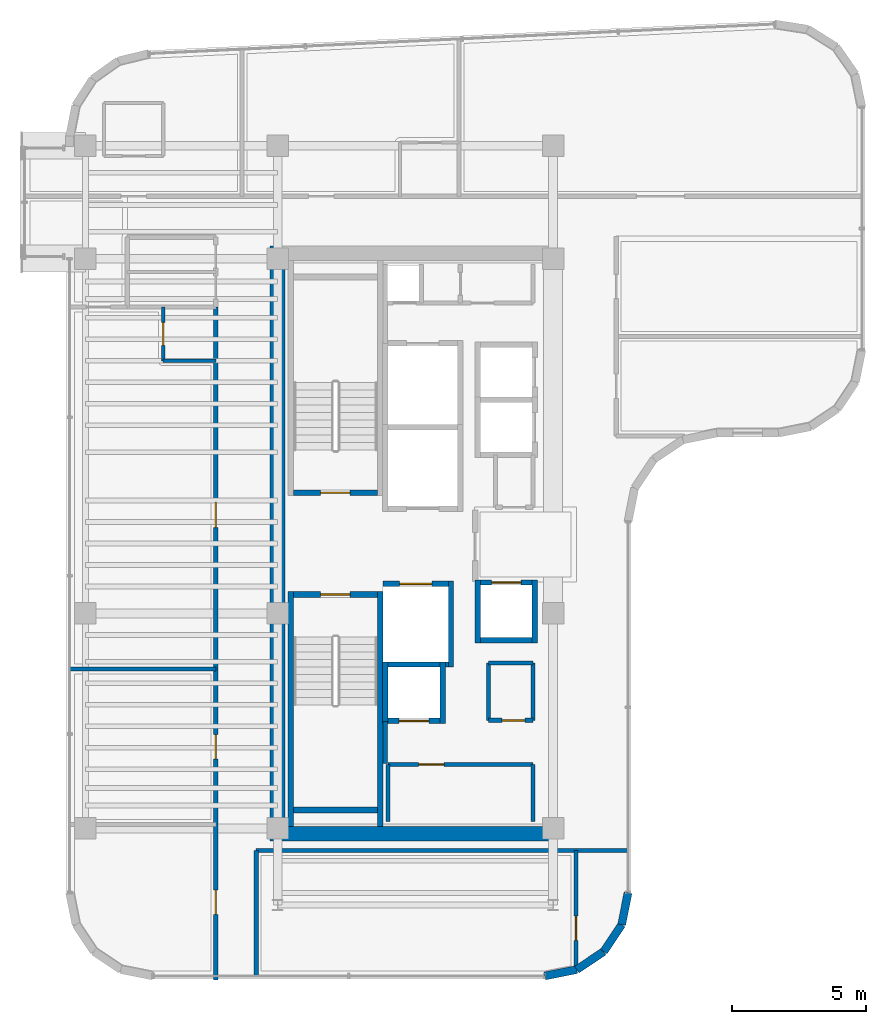
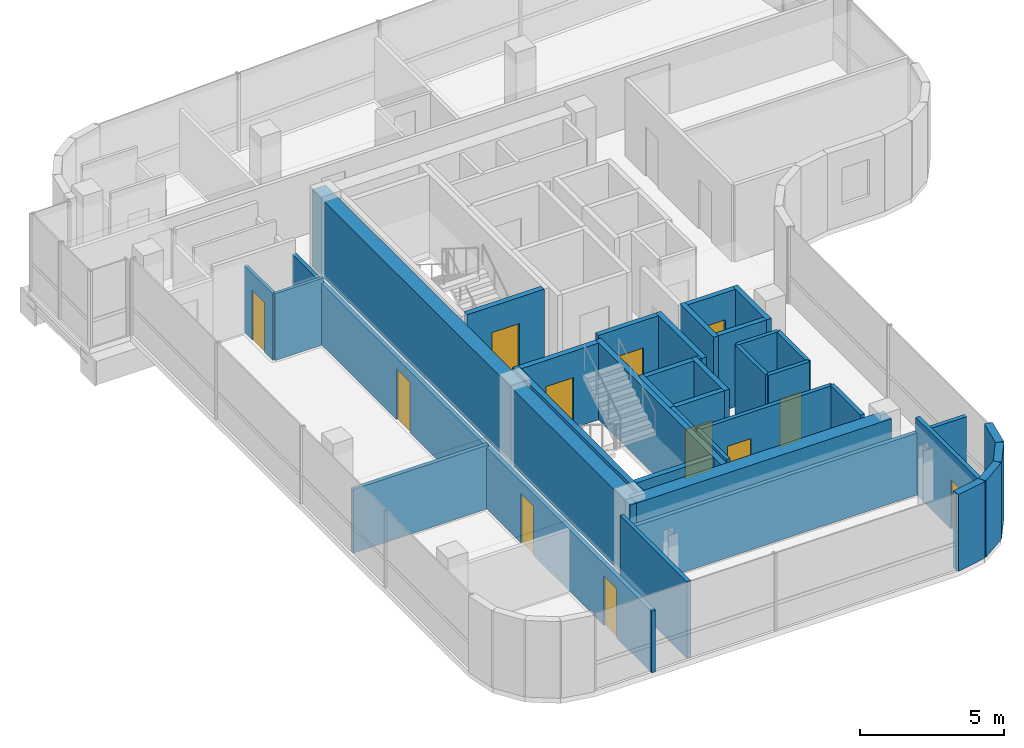
# One storey, part 16 of 20: 36 walls, 12 doors, 12 openings.
"""IFC4 building model written with IfcOpenShell, lengths in metres."""

from ifc_helpers import new_model, si_unit, direction, frame, frame_2d, origin, place, context, subcontext, project, spatial, rectangle, extrude, material, layer, layer_set, type_object, element, fill, save


model = new_model("IFC4")

# Units and contexts
model_context = context("Model", 3, precision=1e-05, world=origin(), true_north=direction((0.0, 1.0)))
body_context = subcontext(model_context, "Body", "Model", "MODEL_VIEW")
ifc_project = project(units=[si_unit("LENGTHUNIT", "METRE"), si_unit("AREAUNIT", "SQUARE_METRE"), si_unit("VOLUMEUNIT", "CUBIC_METRE"), si_unit("PLANEANGLEUNIT", "RADIAN"), si_unit("MASSUNIT", "GRAM", prefix="KILO")], contexts=[model_context])

# Site, building, storey
site_placement = place(None, origin())
site = spatial("IfcSite", under=ifc_project, at=site_placement, CompositionType="ELEMENT")
building_placement = place(site_placement, origin())
building = spatial("IfcBuilding", under=site, at=building_placement, Name="Valdorenza Pilgrim Sanctuary Tower", CompositionType="ELEMENT")
storey_placement = place(building_placement, frame((0.0, 0.0, 283.5)))
storey = spatial("IfcBuildingStorey", under=building, at=storey_placement, Name="L74", CompositionType="ELEMENT", Elevation=283.5)

# Wall
ifc_material_1 = material(Name="Acoustic twin-stud gypsum partition", Category="gypsum")
ifc_layer_1 = layer(ifc_material_1, 0.159912109375, Name="Acoustic twin-stud gypsum partition")
ifc_layer_set_1 = layer_set([ifc_layer_1], Name="Acoustic twin-stud gypsum partition")
wall_type_1 = type_object("IfcWallType", Name="WAL-COR-160", PredefinedType="PARTITIONING", material=ifc_layer_set_1)
wall_1_placement = place(storey_placement, frame((-18.64990234375, -8.179931640625, 0.0), z_axis=(0.0, 0.0, 1.0), x_axis=(0.0, 1.0, 0.0)))
element("IfcWall", 1, at=wall_1_placement, inside=storey, type_object=wall_type_1, Name="L74 Core A South Lift Hall West Wall", PredefinedType="PARTITIONING", context=body_context, shape_type="SweptSolid", body=[
    extrude(rectangle(XDim=1.559814453125, YDim=0.159912109375, at=frame_2d((0.77978515625, 0.0))), origin(), (0.0, 0.0, 1.0), 3.260009765625),
])

# Wall, opening, door
wall_2_placement = place(storey_placement, frame((-18.550048828125, -8.219970703125, 0.0), z_axis=(0.0, 0.0, 1.0), x_axis=(1.0, 0.0, 0.0)))
wall_2 = element("IfcWall", 2, at=wall_2_placement, inside=storey, type_object=wall_type_1, Name="L74 Freed Shaft 1 North Wall", PredefinedType="PARTITIONING", context=body_context, shape_type="SweptSolid", body=[
    extrude(rectangle(XDim=5.400146484375, YDim=0.159912109375, at=frame_2d((2.7001953125, 0.0))), origin(), (0.0, 0.0, 1.0), 3.260009765625),
])
opening_1_placement = place(wall_2_placement, frame((1.14990234375, 0.0, 0.0)))
opening_1 = element("IfcOpeningElement", 3, at=opening_1_placement, cuts=wall_2, Name="Opening DR-UN1", PredefinedType="OPENING", context=body_context, shape_type="SweptSolid", body=[
    extrude(rectangle(XDim=0.949951171875, YDim=2.14990234375, at=frame_2d((0.47509765625, 1.074951171875))), frame((0.0, 0.0947265625, 0.0), z_axis=(0.0, -1.0, 0.0), x_axis=(1.0, 0.0, 0.0)), (0.0, 0.0, 1.0), 0.189697265625),
])
ifc_material_2 = material(Name="Solid-core European oak timber", Category="wood")
door_type_1 = type_object("IfcDoorType", Name="DR-UNIT-950", OperationType="NOTDEFINED", PredefinedType="DOOR", material=ifc_material_2)
door_1_placement = place(opening_1_placement, origin())
door_1 = element("IfcDoor", 4, at=door_1_placement, inside=storey, type_object=door_type_1, Name="L74 Back-of-House Linen Store Door", OperationType="SINGLE_SWING_RIGHT", OverallHeight=2.14990234375, OverallWidth=0.949951171875, PredefinedType="DOOR", context=body_context, shape_type="SweptSolid", body=[
    extrude(rectangle(XDim=0.949951171875, YDim=2.14990234375, at=frame_2d((0.47509765625, 1.074951171875))), frame((0.0, 0.02490234375, 0.0), z_axis=(0.0, -1.0, 0.0), x_axis=(1.0, 0.0, 0.0)), (0.0, 0.0, 1.0), 0.050048828125),
])
fill(opening_1, door_1)

# Wall
wall_3_placement = place(storey_placement, frame((-13.14990234375, -10.35009765625, 0.0), z_axis=(0.0, 0.0, 1.0), x_axis=(0.0, 1.0, 0.0)))
element("IfcWall", 5, at=wall_3_placement, inside=storey, type_object=wall_type_1, Name="L74 Freed Shaft 1 East Wall", PredefinedType="PARTITIONING", context=body_context, shape_type="SweptSolid", body=[
    extrude(rectangle(XDim=2.130126953125, YDim=0.159912109375, at=frame_2d((1.06494140625, 0.0))), origin(), (0.0, 0.0, 1.0), 3.260009765625),
])

# Wall, opening, door
wall_4_placement = place(storey_placement, frame((-14.800048828125, -6.580078125, 0.0), z_axis=(0.0, 0.0, 1.0), x_axis=(1.0, 0.0, 0.0)))
wall_4 = element("IfcWall", 6, at=wall_4_placement, inside=storey, type_object=wall_type_1, Name="L74 Freed Shaft 2 South Wall", PredefinedType="PARTITIONING", context=body_context, shape_type="SweptSolid", body=[
    extrude(rectangle(XDim=1.650146484375, YDim=0.159912109375, at=frame_2d((0.8251953125, 0.0))), origin(), (0.0, 0.0, 1.0), 3.260009765625),
])
opening_2_placement = place(wall_4_placement, frame((0.5, 0.0, 0.0)))
opening_2 = element("IfcOpeningElement", 7, at=opening_2_placement, cuts=wall_4, Name="Opening DR-RS1", PredefinedType="OPENING", context=body_context, shape_type="SweptSolid", body=[
    extrude(rectangle(XDim=0.85009765625, YDim=2.050048828125, at=frame_2d((0.425048828125, 1.02490234375))), frame((0.0, 0.0947265625, 0.0), z_axis=(0.0, -1.0, 0.0), x_axis=(1.0, 0.0, 0.0)), (0.0, 0.0, 1.0), 0.189697265625),
])
ifc_material_3 = material(Name="Painted galvanized steel", Category="steel")
door_type_2 = type_object("IfcDoorType", Name="DR-RSR-850", OperationType="NOTDEFINED", PredefinedType="DOOR", material=ifc_material_3)
door_2_placement = place(opening_2_placement, origin())
door_2 = element("IfcDoor", 8, at=door_2_placement, inside=storey, type_object=door_type_2, Name="L74 Guest Tea Pantry Door", OperationType="SINGLE_SWING_LEFT", OverallHeight=2.050048828125, OverallWidth=0.85009765625, PredefinedType="DOOR", context=body_context, shape_type="SweptSolid", body=[
    extrude(rectangle(XDim=0.85009765625, YDim=2.050048828125, at=frame_2d((0.425048828125, 1.02490234375))), frame((0.0, 0.02490234375, 0.0), z_axis=(0.0, -1.0, 0.0), x_axis=(1.0, 0.0, 0.0)), (0.0, 0.0, 1.0), 0.050048828125),
])
fill(opening_2, door_2)

# Walls
wall_5_placement = place(storey_placement, frame((-13.14990234375, -6.580078125, 0.0), z_axis=(0.0, 0.0, 1.0), x_axis=(0.0, 1.0, 0.0)))
element("IfcWall", 9, at=wall_5_placement, inside=storey, type_object=wall_type_1, Name="L74 Freed Shaft 2 East Wall", PredefinedType="PARTITIONING", context=body_context, shape_type="SweptSolid", body=[
    extrude(rectangle(XDim=2.130126953125, YDim=0.159912109375, at=frame_2d((1.06494140625, 0.0))), origin(), (0.0, 0.0, 1.0), 3.260009765625),
])
wall_6_placement = place(storey_placement, frame((-23.449951171875, -11.419921875, 0.0), z_axis=(0.0, 0.0, 1.0), x_axis=(1.0, 0.0, 0.0)))
element("IfcWall", 10, at=wall_6_placement, inside=storey, type_object=wall_type_1, Name="L74 South-East Pocket North Wall", PredefinedType="PARTITIONING", context=body_context, shape_type="SweptSolid", body=[
    extrude(rectangle(XDim=13.83984375, YDim=0.159912109375, at=frame_2d((6.919921875, 0.0))), origin(), (0.0, 0.0, 1.0), 2.634033203125),
])
wall_7_placement = place(storey_placement, frame((-23.449951171875, -16.090087890625, 0.0), z_axis=(0.0, 0.0, 1.0), x_axis=(0.0, 1.0, 0.0)))
element("IfcWall", 11, at=wall_7_placement, inside=storey, type_object=wall_type_1, Name="L74 South-East Pocket West Wall", PredefinedType="PARTITIONING", context=body_context, shape_type="SweptSolid", body=[
    extrude(rectangle(XDim=4.670166015625, YDim=0.159912109375, at=frame_2d((2.3349609375, 0.0))), origin(), (0.0, 0.0, 1.0), 3.260009765625),
])

# Wall, openings, doors
wall_8_placement = place(storey_placement, frame((-24.949951171875, -16.239990234375, 0.0), z_axis=(0.0, 0.0, 1.0), x_axis=(0.0, 1.0, 0.0)))
wall_8 = element("IfcWall", 12, at=wall_8_placement, inside=storey, type_object=wall_type_1, Name="L74 West Wing Corridor Wall", PredefinedType="PARTITIONING", context=body_context, shape_type="SweptSolid", body=[
    extrude(rectangle(XDim=25.0400390625, YDim=0.159912109375, at=frame_2d((12.52001953125, 0.0))), origin(), (0.0, 0.0, 1.0), 2.623046875),
])
opening_3_placement = place(wall_8_placement, frame((2.44189453125, 0.0, 0.0)))
opening_3 = element("IfcOpeningElement", 13, at=opening_3_placement, cuts=wall_8, Name="Opening DR-RM1", PredefinedType="OPENING", context=body_context, shape_type="SweptSolid", body=[
    extrude(rectangle(XDim=0.89990234375, YDim=2.10009765625, at=frame_2d((0.449951171875, 1.050048828125))), frame((0.0, 0.0947265625, 0.0), z_axis=(0.0, -1.0, 0.0), x_axis=(1.0, 0.0, 0.0)), (0.0, 0.0, 1.0), 0.189697265625),
])
opening_4_placement = place(wall_8_placement, frame((8.22705078125, 0.0, 0.0)))
opening_4 = element("IfcOpeningElement", 14, at=opening_4_placement, cuts=wall_8, Name="Opening DR-RM1", PredefinedType="OPENING", context=body_context, shape_type="SweptSolid", body=[
    extrude(rectangle(XDim=0.89990234375, YDim=2.10009765625, at=frame_2d((0.449951171875, 1.050048828125))), frame((0.0, 0.0947265625, 0.0), z_axis=(0.0, -1.0, 0.0), x_axis=(1.0, 0.0, 0.0)), (0.0, 0.0, 1.0), 0.189697265625),
])
opening_5_placement = place(wall_8_placement, frame((16.830078125, 0.0, 0.0)))
opening_5 = element("IfcOpeningElement", 15, at=opening_5_placement, cuts=wall_8, Name="Opening DR-UN1", PredefinedType="OPENING", context=body_context, shape_type="SweptSolid", body=[
    extrude(rectangle(XDim=0.949951171875, YDim=2.14990234375, at=frame_2d((0.47509765625, 1.074951171875))), frame((0.0, 0.0947265625, 0.0), z_axis=(0.0, -1.0, 0.0), x_axis=(1.0, 0.0, 0.0)), (0.0, 0.0, 1.0), 0.189697265625),
])
door_type_3 = type_object("IfcDoorType", Name="DR-ROOM-900", OperationType="NOTDEFINED", PredefinedType="DOOR", material=ifc_material_2)
door_3_placement = place(opening_3_placement, origin())
door_3 = element("IfcDoor", 16, at=door_3_placement, inside=storey, type_object=door_type_3, Name="L74 Sacred Art Exhibition Gallery L74 Door", OperationType="SINGLE_SWING_RIGHT", OverallHeight=2.10009765625, OverallWidth=0.89990234375, PredefinedType="DOOR", context=body_context, shape_type="SweptSolid", body=[
    extrude(rectangle(XDim=0.89990234375, YDim=2.10009765625, at=frame_2d((0.449951171875, 1.050048828125))), frame((0.0, 0.02490234375, 0.0), z_axis=(0.0, -1.0, 0.0), x_axis=(1.0, 0.0, 0.0)), (0.0, 0.0, 1.0), 0.050048828125),
])
fill(opening_3, door_3)
door_4_placement = place(opening_4_placement, frame((0.89990234375, 0.0, 0.0), z_axis=(0.0, 0.0, 1.0), x_axis=(-1.0, 0.0, 0.0)))
door_4 = element("IfcDoor", 17, at=door_4_placement, inside=storey, type_object=door_type_3, Name="L74 Theological Reference Library L74 Door", OperationType="SINGLE_SWING_LEFT", OverallHeight=2.10009765625, OverallWidth=0.89990234375, PredefinedType="DOOR", context=body_context, shape_type="SweptSolid", body=[
    extrude(rectangle(XDim=0.89990234375, YDim=2.10009765625, at=frame_2d((0.449951171875, 1.050048828125))), frame((0.0, 0.02490234375, 0.0), z_axis=(0.0, -1.0, 0.0), x_axis=(1.0, 0.0, 0.0)), (0.0, 0.0, 1.0), 0.050048828125),
])
fill(opening_4, door_4)
door_5_placement = place(opening_5_placement, origin())
door_5 = element("IfcDoor", 18, at=door_5_placement, inside=storey, type_object=door_type_1, Name="L74 Pilgrim Guest Room L74-GW1 Entrance Door", OperationType="SINGLE_SWING_RIGHT", OverallHeight=2.14990234375, OverallWidth=0.949951171875, PredefinedType="DOOR", context=body_context, shape_type="SweptSolid", body=[
    extrude(rectangle(XDim=0.949951171875, YDim=2.14990234375, at=frame_2d((0.47509765625, 1.074951171875))), frame((0.0, 0.02490234375, 0.0), z_axis=(0.0, -1.0, 0.0), x_axis=(1.0, 0.0, 0.0)), (0.0, 0.0, 1.0), 0.050048828125),
])
fill(opening_5, door_5)

# Wall, opening, door
wall_9_placement = place(storey_placement, frame((-11.550048828125, -15.7236328125, 0.0), z_axis=(0.0, 0.0, 1.0), x_axis=(0.0, 1.0, 0.0)))
wall_9 = element("IfcWall", 19, at=wall_9_placement, inside=storey, type_object=wall_type_1, Name="L74 South-East Concourse Wall", PredefinedType="PARTITIONING", context=body_context, shape_type="SweptSolid", body=[
    extrude(rectangle(XDim=4.3037109375, YDim=0.159912109375, at=frame_2d((2.15185546875, 0.0))), origin(), (0.0, 0.0, 1.0), 3.260009765625),
])
opening_6_placement = place(wall_9_placement, frame((0.9599609375, 0.0, 0.0)))
opening_6 = element("IfcOpeningElement", 20, at=opening_6_placement, cuts=wall_9, Name="Opening DR-RM1", PredefinedType="OPENING", context=body_context, shape_type="SweptSolid", body=[
    extrude(rectangle(XDim=0.89990234375, YDim=2.10009765625, at=frame_2d((0.449951171875, 1.050048828125))), frame((0.0, 0.0947265625, 0.0), z_axis=(0.0, -1.0, 0.0), x_axis=(1.0, 0.0, 0.0)), (0.0, 0.0, 1.0), 0.189697265625),
])
door_6_placement = place(opening_6_placement, origin())
door_6 = element("IfcDoor", 21, at=door_6_placement, inside=storey, type_object=door_type_3, Name="L74 South Contemplation Lounge L74 Door", OperationType="SINGLE_SWING_RIGHT", OverallHeight=2.10009765625, OverallWidth=0.89990234375, PredefinedType="DOOR", context=body_context, shape_type="SweptSolid", body=[
    extrude(rectangle(XDim=0.89990234375, YDim=2.10009765625, at=frame_2d((0.449951171875, 1.050048828125))), frame((0.0, 0.02490234375, 0.0), z_axis=(0.0, -1.0, 0.0), x_axis=(1.0, 0.0, 0.0)), (0.0, 0.0, 1.0), 0.050048828125),
])
fill(opening_6, door_6)

# Walls
ifc_material_4 = material(Name="Concrete C50/60", Category="concrete")
ifc_layer_2 = layer(ifc_material_4, 0.550048828125, Name="Concrete C50/60")
ifc_layer_set_2 = layer_set([ifc_layer_2], Name="Concrete C50/60")
wall_type_2 = type_object("IfcWallType", Name="WAL-COR-550", PredefinedType="SHEAR", material=ifc_layer_set_2)
wall_10_placement = place(storey_placement, frame((-22.64990234375, -11.074951171875, 0.0), z_axis=(0.0, 0.0, 1.0), x_axis=(0.0, 1.0, 0.0)))
element("IfcWall", 22, at=wall_10_placement, inside=storey, type_object=wall_type_2, Name="L74 Split Core A Shear Wall W", PredefinedType="SHEAR", context=body_context, shape_type="SweptSolid", body=[
    extrude(rectangle(XDim=22.14990234375, YDim=0.550048828125, at=frame_2d((11.074951171875, 0.0))), origin(), (0.0, 0.0, 1.0), 3.260009765625),
])
wall_11_placement = place(storey_placement, frame((-22.64990234375, -10.800048828125, 0.0), z_axis=(0.0, 0.0, 1.0), x_axis=(1.0, 0.0, 0.0)))
element("IfcWall", 23, at=wall_11_placement, inside=storey, type_object=wall_type_2, Name="L74 Split Core A Shear Wall S", PredefinedType="SHEAR", context=body_context, shape_type="SweptSolid", body=[
    extrude(rectangle(XDim=10.25, YDim=0.550048828125, at=frame_2d((5.125, 0.0))), origin(), (0.0, 0.0, 1.0), 3.260009765625),
])
ifc_material_5 = material(Name="Honed travertine limestone", Category="masonry")
ifc_layer_3 = layer(ifc_material_5, 0.300048828125, Name="Honed travertine limestone")
ifc_layer_set_3 = layer_set([ifc_layer_3], Name="Honed travertine limestone")
wall_type_3 = type_object("IfcWallType", Name="WAL-EXT-300", PredefinedType="SOLIDWALL", material=ifc_layer_set_3)
wall_12_placement = place(storey_placement, frame((-9.610107421875, -12.9892578125, 0.0), z_axis=(0.0, 0.0, 1.0), x_axis=(-0.194996050505, -0.980804027463, 0.0)))
element("IfcWall", 24, at=wall_12_placement, inside=storey, type_object=wall_type_3, Name="L74 Rounded Wind-Corner Stone Pier 22", PredefinedType="SOLIDWALL", context=body_context, shape_type="SweptSolid", body=[
    extrude(rectangle(XDim=1.2158203125, YDim=0.300048828125, at=frame_2d((0.60791015625, 0.0))), origin(), (0.0, 0.0, 1.0), 3.260009765625),
])
for number, where, z_axis, x_axis, name in (
    (25, (-9.84716796875, -14.181640625, 0.0), (0.0, 0.0, 1.0), (-0.555635100982, -0.831426265255, 0.0), "L74 Rounded Wind-Corner Stone Pier 23"),
    (26, (-10.5166015625, -15.183349609375, 0.0), (0.0, 0.0, 1.0), (-0.831426265255, -0.555635100982, 0.0), "L74 Rounded Wind-Corner Stone Pier 24"),
):
    element("IfcWall", number, at=place(storey_placement, frame(where, z_axis=z_axis, x_axis=x_axis)), inside=storey, type_object=wall_type_3, Name=name, PredefinedType="SOLIDWALL", context=body_context, shape_type="SweptSolid", body=[
        extrude(rectangle(XDim=1.204833984375, YDim=0.300048828125, at=frame_2d((0.6025390625, 0.0))), origin(), (0.0, 0.0, 1.0), 3.260009765625),
    ])
wall_13_placement = place(storey_placement, frame((-11.518310546875, -15.852783203125, 0.0), z_axis=(0.0, 0.0, 1.0), x_axis=(-0.980765602568, -0.195189223115, 0.0)))
element("IfcWall", 27, at=wall_13_placement, inside=storey, type_object=wall_type_3, Name="L74 Rounded Wind-Corner Stone Pier 25", PredefinedType="SOLIDWALL", context=body_context, shape_type="SweptSolid", body=[
    extrude(rectangle(XDim=1.2158203125, YDim=0.300048828125, at=frame_2d((0.60791015625, 0.0))), origin(), (0.0, 0.0, 1.0), 3.260009765625),
])
ifc_material_6 = material(Name="Moisture-resistant gypsum partition", Category="gypsum")
ifc_layer_4 = layer(ifc_material_6, 0.1201171875, Name="Moisture-resistant gypsum partition")
ifc_layer_set_4 = layer_set([ifc_layer_4], Name="Moisture-resistant gypsum partition")
wall_type_4 = type_object("IfcWallType", Name="WAL-INT-120", PredefinedType="PARTITIONING", material=ifc_layer_set_4)
wall_14_placement = place(storey_placement, frame((-26.907958984375, 6.800048828125, 0.0), z_axis=(0.0, 0.0, 1.0), x_axis=(1.0, 0.0, 0.0)))
element("IfcWall", 28, at=wall_14_placement, inside=storey, type_object=wall_type_4, Name="L74 Pilgrim Guest Room L74-GW1 En-suite South Wall", PredefinedType="PARTITIONING", context=body_context, shape_type="SweptSolid", body=[
    extrude(rectangle(XDim=1.9580078125, YDim=0.1201171875, at=frame_2d((0.97900390625, 0.0))), origin(), (0.0, 0.0, 1.0), 2.839111328125),
])

# Wall, opening, door
wall_15_placement = place(storey_placement, frame((-26.907958984375, 6.800048828125, 0.0), z_axis=(0.0, 0.0, 1.0), x_axis=(0.0, 1.0, 0.0)))
wall_15 = element("IfcWall", 29, at=wall_15_placement, inside=storey, type_object=wall_type_4, Name="L74 Pilgrim Guest Room L74-GW1 En-suite Door Wall", PredefinedType="PARTITIONING", context=body_context, shape_type="SweptSolid", body=[
    extrude(rectangle(XDim=2.0, YDim=0.1201171875, at=frame_2d((1.0, 0.0))), origin(), (0.0, 0.0, 1.0), 2.839111328125),
])
opening_7_placement = place(wall_15_placement, frame((0.574951171875, 0.0, 0.0)))
opening_7 = element("IfcOpeningElement", 30, at=opening_7_placement, cuts=wall_15, Name="Opening DR-WC1", PredefinedType="OPENING", context=body_context, shape_type="SweptSolid", body=[
    extrude(rectangle(XDim=0.85009765625, YDim=2.10009765625, at=frame_2d((0.425048828125, 1.050048828125))), frame((0.0, 0.074951171875, 0.0), z_axis=(0.0, -1.0, 0.0), x_axis=(1.0, 0.0, 0.0)), (0.0, 0.0, 1.0), 0.14990234375),
])
ifc_material_7 = material(Name="Moisture-resistant lacquered timber", Category="wood")
door_type_4 = type_object("IfcDoorType", Name="DR-BATH-850", OperationType="NOTDEFINED", PredefinedType="DOOR", material=ifc_material_7)
door_7_placement = place(opening_7_placement, origin())
door_7 = element("IfcDoor", 31, at=door_7_placement, inside=storey, type_object=door_type_4, Name="L74 Pilgrim Guest Room L74-GW1 En-suite Bathroom Door", OperationType="SINGLE_SWING_LEFT", OverallHeight=2.10009765625, OverallWidth=0.85009765625, PredefinedType="DOOR", context=body_context, shape_type="SweptSolid", body=[
    extrude(rectangle(XDim=0.85009765625, YDim=2.10009765625, at=frame_2d((0.425048828125, 1.050048828125))), frame((0.0, 0.02490234375, 0.0), z_axis=(0.0, -1.0, 0.0), x_axis=(1.0, 0.0, 0.0)), (0.0, 0.0, 1.0), 0.050048828125),
])
fill(opening_7, door_7)

# Walls
ifc_material_8 = material(Name="Autoclaved aerated concrete blockwork", Category="masonry")
ifc_layer_5 = layer(ifc_material_8, 0.199951171875, Name="Autoclaved aerated concrete blockwork")
ifc_layer_set_5 = layer_set([ifc_layer_5], Name="Autoclaved aerated concrete blockwork")
wall_type_5 = type_object("IfcWallType", Name="WAL-SHF-200", PredefinedType="MOVABLE", material=ifc_layer_set_5)
wall_16_placement = place(storey_placement, frame((-16.199951171875, -4.60009765625, 0.0), z_axis=(0.0, 0.0, 1.0), x_axis=(0.0, 1.0, 0.0)))
element("IfcWall", 32, at=wall_16_placement, inside=storey, type_object=wall_type_5, Name="L74 Lift FFL-02 Hoistway Wall East", PredefinedType="MOVABLE", context=body_context, shape_type="SweptSolid", body=[
    extrude(rectangle(XDim=3.2001953125, YDim=0.199951171875, at=frame_2d((1.60009765625, 0.0))), origin(), (0.0, 0.0, 1.0), 3.260009765625),
])
wall_17_placement = place(storey_placement, frame((-18.719970703125, -4.5, 0.0), z_axis=(0.0, 0.0, 1.0), x_axis=(1.0, 0.0, 0.0)))
element("IfcWall", 33, at=wall_17_placement, inside=storey, type_object=wall_type_5, Name="L74 Lift FFL-02 Hoistway Wall South", PredefinedType="MOVABLE", context=body_context, shape_type="SweptSolid", body=[
    extrude(rectangle(XDim=2.419921875, YDim=0.199951171875, at=frame_2d((1.2099609375, 0.0))), origin(), (0.0, 0.0, 1.0), 3.260009765625),
])

# Wall, opening, door
wall_18_placement = place(storey_placement, frame((-18.719970703125, -1.5, 0.0), z_axis=(0.0, 0.0, 1.0), x_axis=(1.0, 0.0, 0.0)))
wall_18 = element("IfcWall", 34, at=wall_18_placement, inside=storey, type_object=wall_type_5, Name="L74 Lift FFL-02 Hoistway Wall North", PredefinedType="MOVABLE", context=body_context, shape_type="SweptSolid", body=[
    extrude(rectangle(XDim=2.419921875, YDim=0.199951171875, at=frame_2d((1.2099609375, 0.0))), origin(), (0.0, 0.0, 1.0), 3.260009765625),
])
opening_8_placement = place(wall_18_placement, frame((0.610107421875, 0.0, 0.0)))
opening_8 = element("IfcOpeningElement", 35, at=opening_8_placement, cuts=wall_18, Name="Opening LD-02", PredefinedType="OPENING", context=body_context, shape_type="SweptSolid", body=[
    extrude(rectangle(XDim=1.199951171875, YDim=2.10009765625, at=frame_2d((0.60009765625, 1.050048828125))), frame((0.0, 0.11474609375, 0.0), z_axis=(0.0, -1.0, 0.0), x_axis=(1.0, 0.0, 0.0)), (0.0, 0.0, 1.0), 0.229736328125),
])
ifc_material_9 = material(Name="Brushed stainless steel Grade 316", Category="steel")
door_type_5 = type_object("IfcDoorType", Name="DR-LFT-1200", OperationType="DOUBLE_DOOR_SLIDING", PredefinedType="DOOR", material=ifc_material_9)
door_8_placement = place(opening_8_placement, origin())
door_8 = element("IfcDoor", 36, at=door_8_placement, inside=storey, type_object=door_type_5, Name="L74 Lift FFL-02 Sliding Landing Door", OperationType="DOUBLE_DOOR_SLIDING", OverallHeight=2.10009765625, OverallWidth=1.199951171875, PredefinedType="DOOR", context=body_context, shape_type="SweptSolid", body=[
    extrude(rectangle(XDim=1.199951171875, YDim=2.10009765625, at=frame_2d((0.60009765625, 1.050048828125))), frame((0.0, 0.02490234375, 0.0), z_axis=(0.0, -1.0, 0.0), x_axis=(1.0, 0.0, 0.0)), (0.0, 0.0, 1.0), 0.050048828125),
])
fill(opening_8, door_8)

# Walls
for number, where, z_axis, x_axis, name in (
    (37, (-18.64990234375, -6.699951171875, 0.0), (0.0, 0.0, 1.0), (0.0, 1.0, 0.0), "L74 Lift PL-11 Hoistway Wall West"),
    (38, (-16.5, -6.699951171875, 0.0), (0.0, 0.0, 1.0), (0.0, 1.0, 0.0), "L74 Lift PL-11 Hoistway Wall East"),
):
    element("IfcWall", number, at=place(storey_placement, frame(where, z_axis=z_axis, x_axis=x_axis)), inside=storey, type_object=wall_type_5, Name=name, PredefinedType="MOVABLE", context=body_context, shape_type="SweptSolid", body=[
        extrude(rectangle(XDim=2.300048828125, YDim=0.199951171875, at=frame_2d((1.14990234375, 0.0))), origin(), (0.0, 0.0, 1.0), 3.260009765625),
    ])

# Wall, opening, door
wall_19_placement = place(storey_placement, frame((-18.550048828125, -6.60009765625, 0.0), z_axis=(0.0, 0.0, 1.0), x_axis=(1.0, 0.0, 0.0)))
wall_19 = element("IfcWall", 39, at=wall_19_placement, inside=storey, type_object=wall_type_5, Name="L74 Lift PL-11 Hoistway Wall South", PredefinedType="MOVABLE", context=body_context, shape_type="SweptSolid", body=[
    extrude(rectangle(XDim=1.949951171875, YDim=0.199951171875, at=frame_2d((0.97509765625, 0.0))), origin(), (0.0, 0.0, 1.0), 3.260009765625),
])
opening_9_placement = place(wall_19_placement, frame((0.425048828125, 0.0, 0.0)))
opening_9 = element("IfcOpeningElement", 40, at=opening_9_placement, cuts=wall_19, Name="Opening LD-01", PredefinedType="OPENING", context=body_context, shape_type="SweptSolid", body=[
    extrude(rectangle(XDim=1.10009765625, YDim=2.10009765625, at=frame_2d((0.550048828125, 1.050048828125))), frame((0.0, 0.11474609375, 0.0), z_axis=(0.0, -1.0, 0.0), x_axis=(1.0, 0.0, 0.0)), (0.0, 0.0, 1.0), 0.229736328125),
])
door_type_6 = type_object("IfcDoorType", Name="DR-LFT-1100", OperationType="DOUBLE_DOOR_SLIDING", PredefinedType="DOOR", material=ifc_material_9)
door_9_placement = place(opening_9_placement, origin())
door_9 = element("IfcDoor", 41, at=door_9_placement, inside=storey, type_object=door_type_6, Name="L74 Lift PL-11 Sliding Landing Door", OperationType="DOUBLE_DOOR_SLIDING", OverallHeight=2.10009765625, OverallWidth=1.10009765625, PredefinedType="DOOR", context=body_context, shape_type="SweptSolid", body=[
    extrude(rectangle(XDim=1.10009765625, YDim=2.10009765625, at=frame_2d((0.550048828125, 1.050048828125))), frame((0.0, 0.02490234375, 0.0), z_axis=(0.0, -1.0, 0.0), x_axis=(1.0, 0.0, 0.0)), (0.0, 0.0, 1.0), 0.050048828125),
])
fill(opening_9, door_9)

# Walls
for number, where, z_axis, x_axis, name in (
    (42, (-15.199951171875, -3.699951171875, 0.0), (0.0, 0.0, 1.0), (0.0, 1.0, 0.0), "L74 Lift PL-12 Hoistway Wall West"),
    (43, (-13.080078125, -3.699951171875, 0.0), (0.0, 0.0, 1.0), (0.0, 1.0, 0.0), "L74 Lift PL-12 Hoistway Wall East"),
):
    element("IfcWall", number, at=place(storey_placement, frame(where, z_axis=z_axis, x_axis=x_axis)), inside=storey, type_object=wall_type_5, Name=name, PredefinedType="MOVABLE", context=body_context, shape_type="SweptSolid", body=[
        extrude(rectangle(XDim=2.349853515625, YDim=0.199951171875, at=frame_2d((1.1748046875, 0.0))), origin(), (0.0, 0.0, 1.0), 3.260009765625),
    ])
wall_20_placement = place(storey_placement, frame((-15.10009765625, -3.60009765625, 0.0), z_axis=(0.0, 0.0, 1.0), x_axis=(1.0, 0.0, 0.0)))
element("IfcWall", 44, at=wall_20_placement, inside=storey, type_object=wall_type_5, Name="L74 Lift PL-12 Hoistway Wall South", PredefinedType="MOVABLE", context=body_context, shape_type="SweptSolid", body=[
    extrude(rectangle(XDim=1.920166015625, YDim=0.199951171875, at=frame_2d((0.9599609375, 0.0))), origin(), (0.0, 0.0, 1.0), 3.260009765625),
])

# Wall, opening, door
wall_21_placement = place(storey_placement, frame((-15.10009765625, -1.449951171875, 0.0), z_axis=(0.0, 0.0, 1.0), x_axis=(1.0, 0.0, 0.0)))
wall_21 = element("IfcWall", 45, at=wall_21_placement, inside=storey, type_object=wall_type_5, Name="L74 Lift PL-12 Hoistway Wall North", PredefinedType="MOVABLE", context=body_context, shape_type="SweptSolid", body=[
    extrude(rectangle(XDim=1.920166015625, YDim=0.199951171875, at=frame_2d((0.9599609375, 0.0))), origin(), (0.0, 0.0, 1.0), 3.260009765625),
])
opening_10_placement = place(wall_21_placement, frame((0.409912109375, 0.0, 0.0)))
opening_10 = element("IfcOpeningElement", 46, at=opening_10_placement, cuts=wall_21, Name="Opening LD-01", PredefinedType="OPENING", context=body_context, shape_type="SweptSolid", body=[
    extrude(rectangle(XDim=1.10009765625, YDim=2.10009765625, at=frame_2d((0.550048828125, 1.050048828125))), frame((0.0, 0.11474609375, 0.0), z_axis=(0.0, -1.0, 0.0), x_axis=(1.0, 0.0, 0.0)), (0.0, 0.0, 1.0), 0.229736328125),
])
door_10_placement = place(opening_10_placement, origin())
door_10 = element("IfcDoor", 47, at=door_10_placement, inside=storey, type_object=door_type_6, Name="L74 Lift PL-12 Sliding Landing Door", OperationType="DOUBLE_DOOR_SLIDING", OverallHeight=2.10009765625, OverallWidth=1.10009765625, PredefinedType="DOOR", context=body_context, shape_type="SweptSolid", body=[
    extrude(rectangle(XDim=1.10009765625, YDim=2.10009765625, at=frame_2d((0.550048828125, 1.050048828125))), frame((0.0, 0.02490234375, 0.0), z_axis=(0.0, -1.0, 0.0), x_axis=(1.0, 0.0, 0.0)), (0.0, 0.0, 1.0), 0.050048828125),
])
fill(opening_10, door_10)

ifc_material_10 = material(Name="Concrete C40/50", Category="concrete")
ifc_layer_6 = layer(ifc_material_10, 0.219970703125, Name="Concrete C40/50")
ifc_layer_set_6 = layer_set([ifc_layer_6], Name="Concrete C40/50")
wall_type_6 = type_object("IfcWallType", Name="WAL-STR-SHF-220", PredefinedType="SHEAR", material=ifc_layer_set_6)
wall_22_placement = place(storey_placement, frame((-22.050048828125, 1.889892578125, 0.0), z_axis=(0.0, 0.0, 1.0), x_axis=(1.0, 0.0, 0.0)))
wall_22 = element("IfcWall", 48, at=wall_22_placement, inside=storey, type_object=wall_type_6, Name="L74 ST-A1 Structural Stairwell Wall S", PredefinedType="SHEAR", context=body_context, shape_type="SweptSolid", body=[
    extrude(rectangle(XDim=3.110107421875, YDim=0.219970703125, at=frame_2d((1.55517578125, 0.0))), origin(), (0.0, 0.0, 1.0), 3.260009765625),
])
opening_11_placement = place(wall_22_placement, frame((1.0, 0.0, 0.0)))
opening_11 = element("IfcOpeningElement", 49, at=opening_11_placement, cuts=wall_22, Name="Opening DR-ST1", PredefinedType="OPENING", context=body_context, shape_type="SweptSolid", body=[
    extrude(rectangle(XDim=1.10009765625, YDim=2.14990234375, at=frame_2d((0.550048828125, 1.074951171875))), frame((0.0, 0.125, 0.0), z_axis=(0.0, -1.0, 0.0), x_axis=(1.0, 0.0, 0.0)), (0.0, 0.0, 1.0), 0.249755859375),
])
door_type_7 = type_object("IfcDoorType", Name="DR-STAIR-1100", OperationType="NOTDEFINED", PredefinedType="DOOR", material=ifc_material_3)
door_11_placement = place(opening_11_placement, frame((1.10009765625, 0.0, 0.0), z_axis=(0.0, 0.0, 1.0), x_axis=(-1.0, 0.0, 0.0)))
door_11 = element("IfcDoor", 50, at=door_11_placement, inside=storey, type_object=door_type_7, Name="L74 Exit Stair ST-A1 Door", OperationType="SINGLE_SWING_LEFT", OverallHeight=2.14990234375, OverallWidth=1.10009765625, PredefinedType="DOOR", context=body_context, shape_type="SweptSolid", body=[
    extrude(rectangle(XDim=1.10009765625, YDim=2.14990234375, at=frame_2d((0.550048828125, 1.074951171875))), frame((0.0, 0.02490234375, 0.0), z_axis=(0.0, -1.0, 0.0), x_axis=(1.0, 0.0, 0.0)), (0.0, 0.0, 1.0), 0.050048828125),
])
fill(opening_11, door_11)

# Walls
for number, where, z_axis, x_axis, name in (
    (51, (-22.159912109375, -10.52490234375, 0.0), (0.0, 0.0, 1.0), (0.0, 1.0, 0.0), "L74 ST-A2 Structural Stairwell Wall W"),
    (52, (-18.830078125, -10.52490234375, 0.0), (0.0, 0.0, 1.0), (0.0, 1.0, 0.0), "L74 ST-A2 Structural Stairwell Wall E"),
):
    element("IfcWall", number, at=place(storey_placement, frame(where, z_axis=z_axis, x_axis=x_axis)), inside=storey, type_object=wall_type_6, Name=name, PredefinedType="SHEAR", context=body_context, shape_type="SweptSolid", body=[
        extrude(rectangle(XDim=8.744873046875, YDim=0.219970703125, at=frame_2d((4.37255859375, 0.0))), origin(), (0.0, 0.0, 1.0), 3.260009765625),
    ])
wall_23_placement = place(storey_placement, frame((-22.050048828125, -9.909912109375, 0.0), z_axis=(0.0, 0.0, 1.0), x_axis=(1.0, 0.0, 0.0)))
element("IfcWall", 53, at=wall_23_placement, inside=storey, type_object=wall_type_6, Name="L74 ST-A2 Structural Stairwell Wall S", PredefinedType="SHEAR", context=body_context, shape_type="SweptSolid", body=[
    extrude(rectangle(XDim=3.110107421875, YDim=0.219970703125, at=frame_2d((1.55517578125, 0.0))), origin(), (0.0, 0.0, 1.0), 3.260009765625),
])

# Wall, opening, door
wall_24_placement = place(storey_placement, frame((-22.050048828125, -1.889892578125, 0.0), z_axis=(0.0, 0.0, 1.0), x_axis=(1.0, 0.0, 0.0)))
wall_24 = element("IfcWall", 54, at=wall_24_placement, inside=storey, type_object=wall_type_6, Name="L74 ST-A2 Structural Stairwell Wall N", PredefinedType="SHEAR", context=body_context, shape_type="SweptSolid", body=[
    extrude(rectangle(XDim=3.110107421875, YDim=0.219970703125, at=frame_2d((1.55517578125, 0.0))), origin(), (0.0, 0.0, 1.0), 3.260009765625),
])
opening_12_placement = place(wall_24_placement, frame((1.0, 0.0, 0.0)))
opening_12 = element("IfcOpeningElement", 55, at=opening_12_placement, cuts=wall_24, Name="Opening DR-ST1", PredefinedType="OPENING", context=body_context, shape_type="SweptSolid", body=[
    extrude(rectangle(XDim=1.10009765625, YDim=2.14990234375, at=frame_2d((0.550048828125, 1.074951171875))), frame((0.0, 0.125, 0.0), z_axis=(0.0, -1.0, 0.0), x_axis=(1.0, 0.0, 0.0)), (0.0, 0.0, 1.0), 0.249755859375),
])
door_12_placement = place(opening_12_placement, origin())
door_12 = element("IfcDoor", 56, at=door_12_placement, inside=storey, type_object=door_type_7, Name="L74 Exit Stair ST-A2 Door", OperationType="SINGLE_SWING_RIGHT", OverallHeight=2.14990234375, OverallWidth=1.10009765625, PredefinedType="DOOR", context=body_context, shape_type="SweptSolid", body=[
    extrude(rectangle(XDim=1.10009765625, YDim=2.14990234375, at=frame_2d((0.550048828125, 1.074951171875))), frame((0.0, 0.02490234375, 0.0), z_axis=(0.0, -1.0, 0.0), x_axis=(1.0, 0.0, 0.0)), (0.0, 0.0, 1.0), 0.050048828125),
])
fill(opening_12, door_12)

# Walls
ifc_layer_7 = layer(ifc_material_1, 0.14990234375, Name="Acoustic twin-stud gypsum partition")
ifc_layer_set_7 = layer_set([ifc_layer_7], Name="Acoustic twin-stud gypsum partition")
wall_type_7 = type_object("IfcWallType", Name="WAL-UNT-150", PredefinedType="PARTITIONING", material=ifc_layer_set_7)
for number, where, z_axis, x_axis, name in (
    (57, (-18.550048828125, -10.35009765625, 0.0), (0.0, 0.0, 1.0), (0.0, 1.0, 0.0), "L74 Freed Shaft 1 West Wall"),
    (58, (-14.800048828125, -6.580078125, 0.0), (0.0, 0.0, 1.0), (0.0, 1.0, 0.0), "L74 Freed Shaft 2 West Wall"),
):
    element("IfcWall", number, at=place(storey_placement, frame(where, z_axis=z_axis, x_axis=x_axis)), inside=storey, type_object=wall_type_7, Name=name, PredefinedType="PARTITIONING", context=body_context, shape_type="SweptSolid", body=[
        extrude(rectangle(XDim=2.130126953125, YDim=0.14990234375, at=frame_2d((1.06494140625, 0.0))), origin(), (0.0, 0.0, 1.0), 3.260009765625),
    ])
wall_25_placement = place(storey_placement, frame((-14.800048828125, -4.449951171875, 0.0), z_axis=(0.0, 0.0, 1.0), x_axis=(1.0, 0.0, 0.0)))
element("IfcWall", 59, at=wall_25_placement, inside=storey, type_object=wall_type_7, Name="L74 Freed Shaft 2 North Wall", PredefinedType="PARTITIONING", context=body_context, shape_type="SweptSolid", body=[
    extrude(rectangle(XDim=1.650146484375, YDim=0.14990234375, at=frame_2d((0.8251953125, 0.0))), origin(), (0.0, 0.0, 1.0), 3.260009765625),
])
wall_26_placement = place(storey_placement, frame((-30.389892578125, -4.669921875, 0.0), z_axis=(0.0, 0.0, 1.0), x_axis=(1.0, 0.0, 0.0)))
element("IfcWall", 60, at=wall_26_placement, inside=storey, type_object=wall_type_7, Name="L74 West Gallery Split", PredefinedType="PARTITIONING", context=body_context, shape_type="SweptSolid", body=[
    extrude(rectangle(XDim=5.43994140625, YDim=0.14990234375, at=frame_2d((2.719970703125, 0.0))), origin(), (0.0, 0.0, 1.0), 2.7060546875),
])

save(model, "model.ifc")
